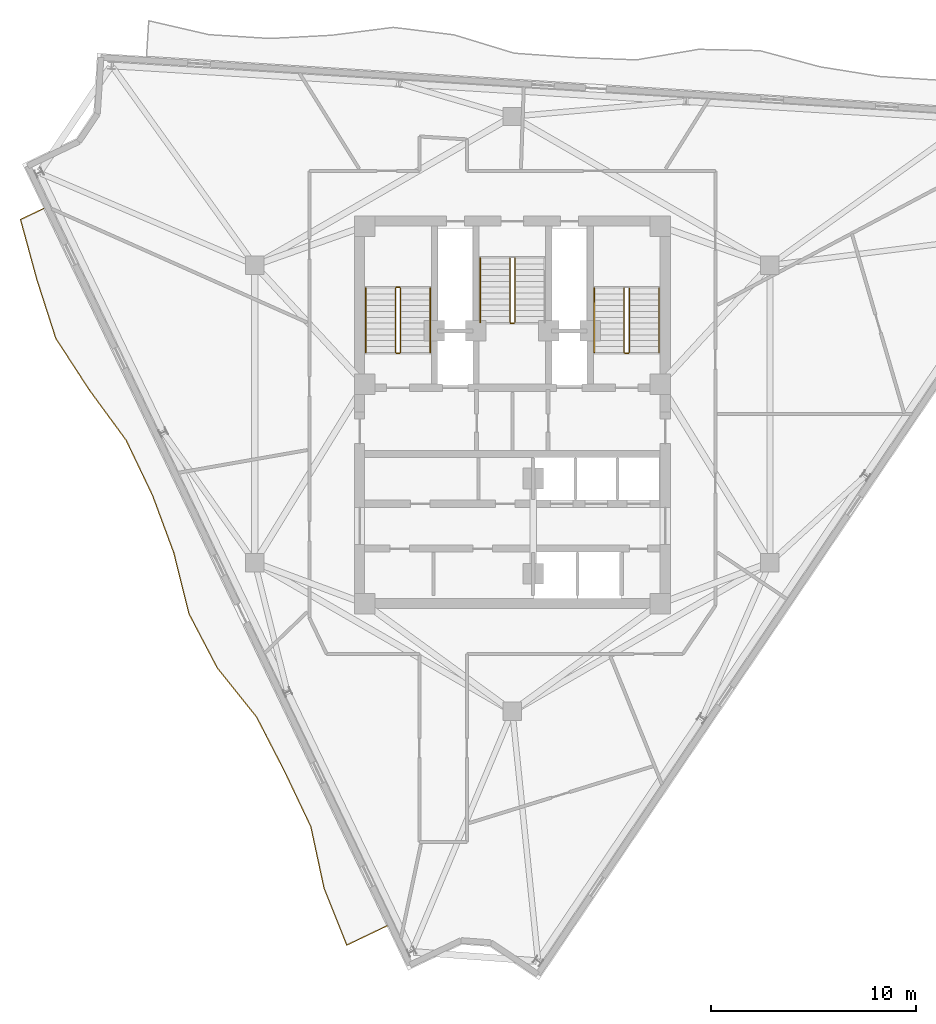
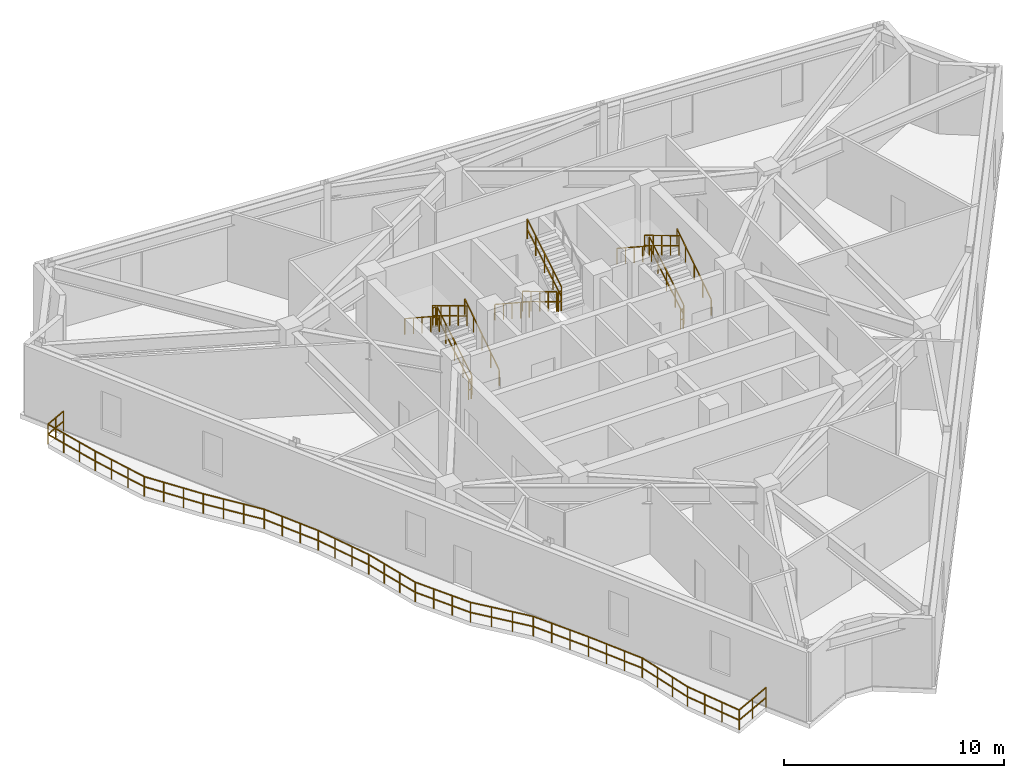
# One storey, part 9 of 10: 16 railings.
"""IFC4 building model written with IfcOpenShell, lengths in metres."""

from ifc_helpers import new_model, si_unit, direction, frame, origin, origin_2d, place, context, subcontext, project, spatial, rectangle, extrude, material, type_object, element, save


model = new_model("IFC4")

# Units and contexts
model_context = context("Model", 3, precision=1e-05, world=origin(), true_north=direction((0.0, 1.0)))
body_context = subcontext(model_context, "Body", "Model", "MODEL_VIEW")
ifc_project = project(units=[si_unit("LENGTHUNIT", "METRE"), si_unit("AREAUNIT", "SQUARE_METRE"), si_unit("VOLUMEUNIT", "CUBIC_METRE"), si_unit("PLANEANGLEUNIT", "RADIAN"), si_unit("MASSUNIT", "GRAM", prefix="KILO")], contexts=[model_context])

# Site, building, storey
site_placement = place(None, origin())
site = spatial("IfcSite", under=ifc_project, at=site_placement, CompositionType="ELEMENT")
building_placement = place(site_placement, origin())
building = spatial("IfcBuilding", under=site, at=building_placement, Name="Apsidion Concourse Tower", CompositionType="ELEMENT")
storey_placement = place(building_placement, frame((0.0, 0.0, 302.39990234375)))
storey = spatial("IfcBuildingStorey", under=building, at=storey_placement, Name="L71", CompositionType="ELEMENT", Elevation=302.39990234375)

# Railings
ifc_material = material(Name="Brushed stainless steel 316", Category="steel")
railing_type_1 = type_object("IfcRailingType", Name="RL-BAL-1120", PredefinedType="BALUSTRADE", material=ifc_material)
railing_1_placement = place(storey_placement, frame((-6.1181640625, -24.96630859375, 0.0)))
element("IfcRailing", 1, at=railing_1_placement, inside=storey, type_object=railing_type_1, Name="L71 Face 1 Rippling Balcony Balustrade", PredefinedType="BALUSTRADE", context=body_context, shape_type="SweptSolid", body=[
    extrude(rectangle(XDim=0.048095703125, YDim=0.048095703125, at=origin_2d()), frame((0.0, 0.0, 1.09619140625), z_axis=(-0.902099942436, -0.43152716468, 0.0), x_axis=(0.43152716468, -0.902099942436, 0.0)), (0.0, 0.0, 1.0), 2.169677734375),
    extrude(rectangle(XDim=0.048095703125, YDim=0.048095703125, at=origin_2d()), frame((0.0, 0.0, 0.5361328125), z_axis=(-0.902099942436, -0.43152716468, 0.0), x_axis=(0.43152716468, -0.902099942436, 0.0)), (0.0, 0.0, 1.0), 2.169677734375),
    extrude(rectangle(XDim=0.048095703125, YDim=0.048095703125, at=origin_2d()), frame((-1.957275390625, -0.936279296875, 1.09619140625), z_axis=(-0.370841483612, 0.928696179616, 0.0), x_axis=(-0.928696179616, -0.370841483612, 0.0)), (0.0, 0.0, 1.0), 2.989501953125),
    extrude(rectangle(XDim=0.048095703125, YDim=0.048095703125, at=origin_2d()), frame((-1.957275390625, -0.936279296875, 0.5361328125), z_axis=(-0.370841483612, 0.928696179616, 0.0), x_axis=(-0.928696179616, -0.370841483612, 0.0)), (0.0, 0.0, 1.0), 2.989501953125),
    extrude(rectangle(XDim=0.048095703125, YDim=0.048095703125, at=origin_2d()), frame((-3.06591796875, 1.840087890625, 1.09619140625), z_axis=(-0.209887827373, 0.977725472677, 0.0), x_axis=(-0.977725472677, -0.209887827373, 0.0)), (0.0, 0.0, 1.0), 3.0673828125),
    extrude(rectangle(XDim=0.048095703125, YDim=0.048095703125, at=origin_2d()), frame((-3.06591796875, 1.840087890625, 0.5361328125), z_axis=(-0.209887827373, 0.977725472677, 0.0), x_axis=(-0.977725472677, -0.209887827373, 0.0)), (0.0, 0.0, 1.0), 3.0673828125),
    extrude(rectangle(XDim=0.048095703125, YDim=0.048095703125, at=origin_2d()), frame((-3.709716796875, 4.839111328125, 1.09619140625), z_axis=(-0.429183685469, 0.903217229755, 0.0), x_axis=(-0.903217229755, -0.429183685469, 0.0)), (0.0, 0.0, 1.0), 2.983154296875),
    extrude(rectangle(XDim=0.048095703125, YDim=0.048095703125, at=origin_2d()), frame((-3.709716796875, 4.839111328125, 0.5361328125), z_axis=(-0.429183685469, 0.903217229755, 0.0), x_axis=(-0.903217229755, -0.429183685469, 0.0)), (0.0, 0.0, 1.0), 2.983154296875),
    extrude(rectangle(XDim=0.048095703125, YDim=0.048095703125, at=origin_2d()), frame((-4.989990234375, 7.533447265625, 1.09619140625), z_axis=(-0.457882141152, 0.889012904751, 0.0), x_axis=(-0.889012904751, -0.457882141152, 0.0)), (0.0, 0.0, 1.0), 2.984375),
    extrude(rectangle(XDim=0.048095703125, YDim=0.048095703125, at=origin_2d()), frame((-4.989990234375, 7.533447265625, 0.5361328125), z_axis=(-0.457882141152, 0.889012904751, 0.0), x_axis=(-0.889012904751, -0.457882141152, 0.0)), (0.0, 0.0, 1.0), 2.984375),
    extrude(rectangle(XDim=0.048095703125, YDim=0.048095703125, at=origin_2d()), frame((-6.3564453125, 10.1865234375, 1.09619140625), z_axis=(-0.625248904654, 0.78042540145, 0.0), x_axis=(-0.78042540145, -0.625248904654, 0.0)), (0.0, 0.0, 1.0), 3.063232421875),
    extrude(rectangle(XDim=0.048095703125, YDim=0.048095703125, at=origin_2d()), frame((-6.3564453125, 10.1865234375, 0.5361328125), z_axis=(-0.625248904654, 0.78042540145, 0.0), x_axis=(-0.78042540145, -0.625248904654, 0.0)), (0.0, 0.0, 1.0), 3.063232421875),
    extrude(rectangle(XDim=0.048095703125, YDim=0.048095703125, at=origin_2d()), frame((-8.271728515625, 12.5771484375, 1.09619140625), z_axis=(-0.463010382776, 0.886352856058, 0.0), x_axis=(-0.886352856058, -0.463010382776, 0.0)), (0.0, 0.0, 1.0), 2.985107421875),
    extrude(rectangle(XDim=0.048095703125, YDim=0.048095703125, at=origin_2d()), frame((-8.271728515625, 12.5771484375, 0.5361328125), z_axis=(-0.463010382776, 0.886352856058, 0.0), x_axis=(-0.886352856058, -0.463010382776, 0.0)), (0.0, 0.0, 1.0), 2.985107421875),
    extrude(rectangle(XDim=0.048095703125, YDim=0.048095703125, at=origin_2d()), frame((-9.65380859375, 15.222900390625, 1.09619140625), z_axis=(-0.240818749269, 0.97057010566, 0.0), x_axis=(-0.97057010566, -0.240818749269, 0.0)), (0.0, 0.0, 1.0), 3.04541015625),
    extrude(rectangle(XDim=0.048095703125, YDim=0.048095703125, at=origin_2d()), frame((-9.65380859375, 15.222900390625, 0.5361328125), z_axis=(-0.240818749269, 0.97057010566, 0.0), x_axis=(-0.97057010566, -0.240818749269, 0.0)), (0.0, 0.0, 1.0), 3.04541015625),
    extrude(rectangle(XDim=0.048095703125, YDim=0.048095703125, at=origin_2d()), frame((-10.38720703125, 18.1787109375, 1.09619140625), z_axis=(-0.347253307019, 0.937771369132, 0.0), x_axis=(-0.937771369132, -0.347253307019, 0.0)), (0.0, 0.0, 1.0), 2.995849609375),
    extrude(rectangle(XDim=0.048095703125, YDim=0.048095703125, at=origin_2d()), frame((-10.38720703125, 18.1787109375, 0.5361328125), z_axis=(-0.347253307019, 0.937771369132, 0.0), x_axis=(-0.937771369132, -0.347253307019, 0.0)), (0.0, 0.0, 1.0), 2.995849609375),
    extrude(rectangle(XDim=0.048095703125, YDim=0.048095703125, at=origin_2d()), frame((-11.427490234375, 20.988037109375, 1.09619140625), z_axis=(-0.431562646754, 0.902082968428, 0.0), x_axis=(-0.902082968428, -0.431562646754, 0.0)), (0.0, 0.0, 1.0), 2.98291015625),
    extrude(rectangle(XDim=0.048095703125, YDim=0.048095703125, at=origin_2d()), frame((-11.427490234375, 20.988037109375, 0.5361328125), z_axis=(-0.431562646754, 0.902082968428, 0.0), x_axis=(-0.902082968428, -0.431562646754, 0.0)), (0.0, 0.0, 1.0), 2.98291015625),
    extrude(rectangle(XDim=0.048095703125, YDim=0.048095703125, at=origin_2d()), frame((-12.71484375, 23.678955078125, 1.09619140625), z_axis=(-0.59078466844, 0.806829272855, 0.0), x_axis=(-0.806829272855, -0.59078466844, 0.0)), (0.0, 0.0, 1.0), 3.035400390625),
    extrude(rectangle(XDim=0.048095703125, YDim=0.048095703125, at=origin_2d()), frame((-12.71484375, 23.678955078125, 0.5361328125), z_axis=(-0.59078466844, 0.806829272855, 0.0), x_axis=(-0.806829272855, -0.59078466844, 0.0)), (0.0, 0.0, 1.0), 3.035400390625),
    extrude(rectangle(XDim=0.048095703125, YDim=0.048095703125, at=origin_2d()), frame((-14.508056640625, 26.1279296875, 1.09619140625), z_axis=(-0.544697365861, 0.838632684567, 0.0), x_axis=(-0.838632684567, -0.544697365861, 0.0)), (0.0, 0.0, 1.0), 3.00830078125),
    extrude(rectangle(XDim=0.048095703125, YDim=0.048095703125, at=origin_2d()), frame((-14.508056640625, 26.1279296875, 0.5361328125), z_axis=(-0.544697365861, 0.838632684567, 0.0), x_axis=(-0.838632684567, -0.544697365861, 0.0)), (0.0, 0.0, 1.0), 3.00830078125),
    extrude(rectangle(XDim=0.048095703125, YDim=0.048095703125, at=origin_2d()), frame((-16.146728515625, 28.65087890625, 1.09619140625), z_axis=(-0.306308432234, 0.951932321304, 0.0), x_axis=(-0.951932321304, -0.306308432234, 0.0)), (0.0, 0.0, 1.0), 3.010498046875),
    extrude(rectangle(XDim=0.048095703125, YDim=0.048095703125, at=origin_2d()), frame((-16.146728515625, 28.65087890625, 0.5361328125), z_axis=(-0.306308432234, 0.951932321304, 0.0), x_axis=(-0.951932321304, -0.306308432234, 0.0)), (0.0, 0.0, 1.0), 3.010498046875),
    extrude(rectangle(XDim=0.048095703125, YDim=0.048095703125, at=origin_2d()), frame((-17.06884765625, 31.5166015625, 1.09619140625), z_axis=(-0.26247015143, 0.964940111928, 0.0), x_axis=(-0.964940111928, -0.26247015143, 0.0)), (0.0, 0.0, 1.0), 3.0322265625),
    extrude(rectangle(XDim=0.048095703125, YDim=0.048095703125, at=origin_2d()), frame((-17.06884765625, 31.5166015625, 0.5361328125), z_axis=(-0.26247015143, 0.964940111928, 0.0), x_axis=(-0.964940111928, -0.26247015143, 0.0)), (0.0, 0.0, 1.0), 3.0322265625),
    extrude(rectangle(XDim=0.048095703125, YDim=0.048095703125, at=origin_2d()), frame((-17.86474609375, 34.442626953125, 1.09619140625), z_axis=(0.902028416464, 0.431676656645, 0.0), x_axis=(-0.431676656645, 0.902028416464, 0.0)), (0.0, 0.0, 1.0), 1.25),
    extrude(rectangle(XDim=0.048095703125, YDim=0.048095703125, at=origin_2d()), frame((-17.86474609375, 34.442626953125, 0.5361328125), z_axis=(0.902028416464, 0.431676656645, 0.0), x_axis=(-0.431676656645, 0.902028416464, 0.0)), (0.0, 0.0, 1.0), 1.25),
    extrude(rectangle(XDim=0.0419921875, YDim=0.0419921875, at=origin_2d()), origin(), (0.0, 0.0, 1.0), 1.072021484375),
    extrude(rectangle(XDim=0.0419921875, YDim=0.0419921875, at=origin_2d()), frame((-0.978515625, -0.46826171875, 0.0)), (0.0, 0.0, 1.0), 1.072021484375),
    extrude(rectangle(XDim=0.0419921875, YDim=0.0419921875, at=origin_2d()), frame((-1.957275390625, -0.936279296875, 0.0)), (0.0, 0.0, 1.0), 1.072021484375),
    extrude(rectangle(XDim=0.0419921875, YDim=0.0419921875, at=origin_2d()), frame((-2.326904296875, -0.0107421875, 0.0)), (0.0, 0.0, 1.0), 1.072021484375),
    extrude(rectangle(XDim=0.0419921875, YDim=0.0419921875, at=origin_2d()), frame((-2.6962890625, 0.91455078125, 0.0)), (0.0, 0.0, 1.0), 1.072021484375),
    extrude(rectangle(XDim=0.0419921875, YDim=0.0419921875, at=origin_2d()), frame((-3.06591796875, 1.840087890625, 0.0)), (0.0, 0.0, 1.0), 1.072021484375),
    extrude(rectangle(XDim=0.0419921875, YDim=0.0419921875, at=origin_2d()), frame((-3.280517578125, 2.83984375, 0.0)), (0.0, 0.0, 1.0), 1.072021484375),
    extrude(rectangle(XDim=0.0419921875, YDim=0.0419921875, at=origin_2d()), frame((-3.4951171875, 3.83935546875, 0.0)), (0.0, 0.0, 1.0), 1.072021484375),
    extrude(rectangle(XDim=0.0419921875, YDim=0.0419921875, at=origin_2d()), frame((-3.709716796875, 4.839111328125, 0.0)), (0.0, 0.0, 1.0), 1.072021484375),
    extrude(rectangle(XDim=0.0419921875, YDim=0.0419921875, at=origin_2d()), frame((-4.136474609375, 5.7373046875, 0.0)), (0.0, 0.0, 1.0), 1.072021484375),
    extrude(rectangle(XDim=0.0419921875, YDim=0.0419921875, at=origin_2d()), frame((-4.563232421875, 6.63525390625, 0.0)), (0.0, 0.0, 1.0), 1.072021484375),
    extrude(rectangle(XDim=0.0419921875, YDim=0.0419921875, at=origin_2d()), frame((-4.989990234375, 7.533447265625, 0.0)), (0.0, 0.0, 1.0), 1.072021484375),
    extrude(rectangle(XDim=0.0419921875, YDim=0.0419921875, at=origin_2d()), frame((-5.445556640625, 8.417724609375, 0.0)), (0.0, 0.0, 1.0), 1.072021484375),
    extrude(rectangle(XDim=0.0419921875, YDim=0.0419921875, at=origin_2d()), frame((-5.90087890625, 9.30224609375, 0.0)), (0.0, 0.0, 1.0), 1.072021484375),
    extrude(rectangle(XDim=0.0419921875, YDim=0.0419921875, at=origin_2d()), frame((-6.3564453125, 10.1865234375, 0.0)), (0.0, 0.0, 1.0), 1.072021484375),
    extrude(rectangle(XDim=0.0419921875, YDim=0.0419921875, at=origin_2d()), frame((-6.994873046875, 10.9833984375, 0.0)), (0.0, 0.0, 1.0), 1.072021484375),
    extrude(rectangle(XDim=0.0419921875, YDim=0.0419921875, at=origin_2d()), frame((-7.63330078125, 11.7802734375, 0.0)), (0.0, 0.0, 1.0), 1.072021484375),
    extrude(rectangle(XDim=0.0419921875, YDim=0.0419921875, at=origin_2d()), frame((-8.271728515625, 12.5771484375, 0.0)), (0.0, 0.0, 1.0), 1.072021484375),
    extrude(rectangle(XDim=0.0419921875, YDim=0.0419921875, at=origin_2d()), frame((-8.732421875, 13.458984375, 0.0)), (0.0, 0.0, 1.0), 1.072021484375),
    extrude(rectangle(XDim=0.0419921875, YDim=0.0419921875, at=origin_2d()), frame((-9.193115234375, 14.341064453125, 0.0)), (0.0, 0.0, 1.0), 1.072021484375),
    extrude(rectangle(XDim=0.0419921875, YDim=0.0419921875, at=origin_2d()), frame((-9.65380859375, 15.222900390625, 0.0)), (0.0, 0.0, 1.0), 1.072021484375),
    extrude(rectangle(XDim=0.0419921875, YDim=0.0419921875, at=origin_2d()), frame((-9.898193359375, 16.208251953125, 0.0)), (0.0, 0.0, 1.0), 1.072021484375),
    extrude(rectangle(XDim=0.0419921875, YDim=0.0419921875, at=origin_2d()), frame((-10.142822265625, 17.193359375, 0.0)), (0.0, 0.0, 1.0), 1.072021484375),
    extrude(rectangle(XDim=0.0419921875, YDim=0.0419921875, at=origin_2d()), frame((-10.38720703125, 18.1787109375, 0.0)), (0.0, 0.0, 1.0), 1.072021484375),
    extrude(rectangle(XDim=0.0419921875, YDim=0.0419921875, at=origin_2d()), frame((-10.73388671875, 19.115234375, 0.0)), (0.0, 0.0, 1.0), 1.072021484375),
    extrude(rectangle(XDim=0.0419921875, YDim=0.0419921875, at=origin_2d()), frame((-11.080810546875, 20.051513671875, 0.0)), (0.0, 0.0, 1.0), 1.072021484375),
    extrude(rectangle(XDim=0.0419921875, YDim=0.0419921875, at=origin_2d()), frame((-11.427490234375, 20.988037109375, 0.0)), (0.0, 0.0, 1.0), 1.072021484375),
    extrude(rectangle(XDim=0.0419921875, YDim=0.0419921875, at=origin_2d()), frame((-11.856689453125, 21.885009765625, 0.0)), (0.0, 0.0, 1.0), 1.072021484375),
    extrude(rectangle(XDim=0.0419921875, YDim=0.0419921875, at=origin_2d()), frame((-12.28564453125, 22.781982421875, 0.0)), (0.0, 0.0, 1.0), 1.072021484375),
    extrude(rectangle(XDim=0.0419921875, YDim=0.0419921875, at=origin_2d()), frame((-12.71484375, 23.678955078125, 0.0)), (0.0, 0.0, 1.0), 1.072021484375),
    extrude(rectangle(XDim=0.0419921875, YDim=0.0419921875, at=origin_2d()), frame((-13.3125, 24.495361328125, 0.0)), (0.0, 0.0, 1.0), 1.072021484375),
    extrude(rectangle(XDim=0.0419921875, YDim=0.0419921875, at=origin_2d()), frame((-13.910400390625, 25.3115234375, 0.0)), (0.0, 0.0, 1.0), 1.072021484375),
    extrude(rectangle(XDim=0.0419921875, YDim=0.0419921875, at=origin_2d()), frame((-14.508056640625, 26.1279296875, 0.0)), (0.0, 0.0, 1.0), 1.072021484375),
    extrude(rectangle(XDim=0.0419921875, YDim=0.0419921875, at=origin_2d()), frame((-15.05419921875, 26.968994140625, 0.0)), (0.0, 0.0, 1.0), 1.072021484375),
    extrude(rectangle(XDim=0.0419921875, YDim=0.0419921875, at=origin_2d()), frame((-15.6005859375, 27.809814453125, 0.0)), (0.0, 0.0, 1.0), 1.072021484375),
    extrude(rectangle(XDim=0.0419921875, YDim=0.0419921875, at=origin_2d()), frame((-16.146728515625, 28.65087890625, 0.0)), (0.0, 0.0, 1.0), 1.072021484375),
    extrude(rectangle(XDim=0.0419921875, YDim=0.0419921875, at=origin_2d()), frame((-16.4541015625, 29.606201171875, 0.0)), (0.0, 0.0, 1.0), 1.072021484375),
    extrude(rectangle(XDim=0.0419921875, YDim=0.0419921875, at=origin_2d()), frame((-16.761474609375, 30.561279296875, 0.0)), (0.0, 0.0, 1.0), 1.072021484375),
    extrude(rectangle(XDim=0.0419921875, YDim=0.0419921875, at=origin_2d()), frame((-17.06884765625, 31.5166015625, 0.0)), (0.0, 0.0, 1.0), 1.072021484375),
    extrude(rectangle(XDim=0.0419921875, YDim=0.0419921875, at=origin_2d()), frame((-17.334228515625, 32.491943359375, 0.0)), (0.0, 0.0, 1.0), 1.072021484375),
    extrude(rectangle(XDim=0.0419921875, YDim=0.0419921875, at=origin_2d()), frame((-17.599365234375, 33.46728515625, 0.0)), (0.0, 0.0, 1.0), 1.072021484375),
    extrude(rectangle(XDim=0.0419921875, YDim=0.0419921875, at=origin_2d()), frame((-17.86474609375, 34.442626953125, 0.0)), (0.0, 0.0, 1.0), 1.072021484375),
    extrude(rectangle(XDim=0.0419921875, YDim=0.0419921875, at=origin_2d()), frame((-17.301025390625, 34.71240234375, 0.0)), (0.0, 0.0, 1.0), 1.072021484375),
    extrude(rectangle(XDim=0.0419921875, YDim=0.0419921875, at=origin_2d()), frame((-16.7373046875, 34.982177734375, 0.0)), (0.0, 0.0, 1.0), 1.072021484375),
])
railing_type_2 = type_object("IfcRailingType", Name="RL-GUARD-1100", PredefinedType="GUARDRAIL", material=ifc_material)
railing_2_placement = place(storey_placement, frame((-5.449951171875, 3.0, 0.1708984375)))
element("IfcRailing", 2, at=railing_2_placement, inside=storey, type_object=railing_type_2, Name="L71 ST1 stair guard 1", PredefinedType="GUARDRAIL", context=body_context, shape_type="SweptSolid", body=[
    extrude(rectangle(XDim=0.048095703125, YDim=0.048095703125, at=origin_2d()), frame((0.0, 0.0, 1.09619140625), z_axis=(0.0, 0.857716804754, 0.514122439544), x_axis=(-1.0, 0.0, 0.0)), (0.0, 0.0, 1.0), 3.655029296875),
    extrude(rectangle(XDim=0.048095703125, YDim=0.048095703125, at=origin_2d()), frame((0.0, 0.0, 0.5361328125), z_axis=(0.0, 0.857716804754, 0.514122439544), x_axis=(-1.0, 0.0, 0.0)), (0.0, 0.0, 1.0), 3.655029296875),
    extrude(rectangle(XDim=0.0419921875, YDim=0.0419921875, at=origin_2d()), origin(), (0.0, 0.0, 1.0), 1.072021484375),
    extrude(rectangle(XDim=0.0419921875, YDim=0.0419921875, at=origin_2d()), frame((0.0, 0.78369140625, 0.4697265625)), (0.0, 0.0, 1.0), 1.072021484375),
    extrude(rectangle(XDim=0.0419921875, YDim=0.0419921875, at=origin_2d()), frame((0.0, 1.5673828125, 0.939453125)), (0.0, 0.0, 1.0), 1.072021484375),
    extrude(rectangle(XDim=0.0419921875, YDim=0.0419921875, at=origin_2d()), frame((0.0, 2.351318359375, 1.409423828125)), (0.0, 0.0, 1.0), 1.072021484375),
    extrude(rectangle(XDim=0.0419921875, YDim=0.0419921875, at=origin_2d()), frame((0.0, 3.135009765625, 1.879150390625)), (0.0, 0.0, 1.0), 1.072021484375),
])
railing_3_placement = place(storey_placement, frame((-5.5, 6.18505859375, 2.050048828125)))
element("IfcRailing", 3, at=railing_3_placement, inside=storey, type_object=railing_type_2, Name="L71 ST1 stair guard 2", PredefinedType="GUARDRAIL", context=body_context, shape_type="SweptSolid", body=[
    extrude(rectangle(XDim=0.048095703125, YDim=0.048095703125, at=origin_2d()), frame((0.0, 0.0, 1.09619140625), z_axis=(-1.0, 0.0, 0.0), x_axis=(0.0, -1.0, 0.0)), (0.0, 0.0, 1.0), 0.14990234375),
    extrude(rectangle(XDim=0.048095703125, YDim=0.048095703125, at=origin_2d()), frame((0.0, 0.0, 0.5361328125), z_axis=(-1.0, 0.0, 0.0), x_axis=(0.0, -1.0, 0.0)), (0.0, 0.0, 1.0), 0.14990234375),
    extrude(rectangle(XDim=0.0419921875, YDim=0.0419921875, at=origin_2d()), origin(), (0.0, 0.0, 1.0), 1.072021484375),
    extrude(rectangle(XDim=0.0419921875, YDim=0.0419921875, at=origin_2d()), frame((-0.14990234375, 0.0, 0.0)), (0.0, 0.0, 1.0), 1.072021484375),
])
railing_4_placement = place(storey_placement, frame((-5.699951171875, 6.135009765625, 2.220947265625)))
element("IfcRailing", 4, at=railing_4_placement, inside=storey, type_object=railing_type_2, Name="L71 ST1 stair guard 3", PredefinedType="GUARDRAIL", context=body_context, shape_type="SweptSolid", body=[
    extrude(rectangle(XDim=0.048095703125, YDim=0.048095703125, at=origin_2d()), frame((0.0, 0.0, 1.09619140625), z_axis=(0.0, -0.857716804754, 0.514122439544), x_axis=(1.0, 0.0, 0.0)), (0.0, 0.0, 1.0), 3.655029296875),
    extrude(rectangle(XDim=0.048095703125, YDim=0.048095703125, at=origin_2d()), frame((0.0, 0.0, 0.5361328125), z_axis=(0.0, -0.857716804754, 0.514122439544), x_axis=(1.0, 0.0, 0.0)), (0.0, 0.0, 1.0), 3.655029296875),
    extrude(rectangle(XDim=0.0419921875, YDim=0.0419921875, at=origin_2d()), origin(), (0.0, 0.0, 1.0), 1.072021484375),
    extrude(rectangle(XDim=0.0419921875, YDim=0.0419921875, at=origin_2d()), frame((0.0, -0.78369140625, 0.4697265625)), (0.0, 0.0, 1.0), 1.072021484375),
    extrude(rectangle(XDim=0.0419921875, YDim=0.0419921875, at=origin_2d()), frame((0.0, -1.5673828125, 0.939453125)), (0.0, 0.0, 1.0), 1.072021484375),
    extrude(rectangle(XDim=0.0419921875, YDim=0.0419921875, at=origin_2d()), frame((0.0, -2.351318359375, 1.409423828125)), (0.0, 0.0, 1.0), 1.072021484375),
    extrude(rectangle(XDim=0.0419921875, YDim=0.0419921875, at=origin_2d()), frame((0.0, -3.135009765625, 1.879150390625)), (0.0, 0.0, 1.0), 1.072021484375),
])
railing_5_placement = place(storey_placement, frame((-5.5, 2.949951171875, 0.0)))
element("IfcRailing", 5, at=railing_5_placement, inside=storey, type_object=railing_type_2, Name="L71 ST1 stair guard 4", PredefinedType="GUARDRAIL", context=body_context, shape_type="SweptSolid", body=[
    extrude(rectangle(XDim=0.048095703125, YDim=0.048095703125, at=origin_2d()), frame((0.0, 0.0, 1.09619140625), z_axis=(-1.0, 0.0, 0.0), x_axis=(0.0, -1.0, 0.0)), (0.0, 0.0, 1.0), 0.14990234375),
    extrude(rectangle(XDim=0.048095703125, YDim=0.048095703125, at=origin_2d()), frame((0.0, 0.0, 0.5361328125), z_axis=(-1.0, 0.0, 0.0), x_axis=(0.0, -1.0, 0.0)), (0.0, 0.0, 1.0), 0.14990234375),
    extrude(rectangle(XDim=0.0419921875, YDim=0.0419921875, at=origin_2d()), origin(), (0.0, 0.0, 1.0), 1.072021484375),
    extrude(rectangle(XDim=0.0419921875, YDim=0.0419921875, at=origin_2d()), frame((-0.14990234375, 0.0, 0.0)), (0.0, 0.0, 1.0), 1.072021484375),
])
railing_6_placement = place(storey_placement, frame((5.699951171875, 3.0, 0.1708984375)))
element("IfcRailing", 6, at=railing_6_placement, inside=storey, type_object=railing_type_2, Name="L71 ST2 stair guard 1", PredefinedType="GUARDRAIL", context=body_context, shape_type="SweptSolid", body=[
    extrude(rectangle(XDim=0.048095703125, YDim=0.048095703125, at=origin_2d()), frame((0.0, 0.0, 1.09619140625), z_axis=(0.0, 0.857716804754, 0.514122439544), x_axis=(-1.0, 0.0, 0.0)), (0.0, 0.0, 1.0), 3.655029296875),
    extrude(rectangle(XDim=0.048095703125, YDim=0.048095703125, at=origin_2d()), frame((0.0, 0.0, 0.5361328125), z_axis=(0.0, 0.857716804754, 0.514122439544), x_axis=(-1.0, 0.0, 0.0)), (0.0, 0.0, 1.0), 3.655029296875),
    extrude(rectangle(XDim=0.0419921875, YDim=0.0419921875, at=origin_2d()), origin(), (0.0, 0.0, 1.0), 1.072021484375),
    extrude(rectangle(XDim=0.0419921875, YDim=0.0419921875, at=origin_2d()), frame((0.0, 0.78369140625, 0.4697265625)), (0.0, 0.0, 1.0), 1.072021484375),
    extrude(rectangle(XDim=0.0419921875, YDim=0.0419921875, at=origin_2d()), frame((0.0, 1.5673828125, 0.939453125)), (0.0, 0.0, 1.0), 1.072021484375),
    extrude(rectangle(XDim=0.0419921875, YDim=0.0419921875, at=origin_2d()), frame((0.0, 2.351318359375, 1.409423828125)), (0.0, 0.0, 1.0), 1.072021484375),
    extrude(rectangle(XDim=0.0419921875, YDim=0.0419921875, at=origin_2d()), frame((0.0, 3.135009765625, 1.879150390625)), (0.0, 0.0, 1.0), 1.072021484375),
])
railing_7_placement = place(storey_placement, frame((5.449951171875, 6.135009765625, 2.220947265625)))
element("IfcRailing", 7, at=railing_7_placement, inside=storey, type_object=railing_type_2, Name="L71 ST2 stair guard 3", PredefinedType="GUARDRAIL", context=body_context, shape_type="SweptSolid", body=[
    extrude(rectangle(XDim=0.048095703125, YDim=0.048095703125, at=origin_2d()), frame((0.0, 0.0, 1.09619140625), z_axis=(0.0, -0.857716804754, 0.514122439544), x_axis=(1.0, 0.0, 0.0)), (0.0, 0.0, 1.0), 3.655029296875),
    extrude(rectangle(XDim=0.048095703125, YDim=0.048095703125, at=origin_2d()), frame((0.0, 0.0, 0.5361328125), z_axis=(0.0, -0.857716804754, 0.514122439544), x_axis=(1.0, 0.0, 0.0)), (0.0, 0.0, 1.0), 3.655029296875),
    extrude(rectangle(XDim=0.0419921875, YDim=0.0419921875, at=origin_2d()), origin(), (0.0, 0.0, 1.0), 1.072021484375),
    extrude(rectangle(XDim=0.0419921875, YDim=0.0419921875, at=origin_2d()), frame((0.0, -0.78369140625, 0.4697265625)), (0.0, 0.0, 1.0), 1.072021484375),
    extrude(rectangle(XDim=0.0419921875, YDim=0.0419921875, at=origin_2d()), frame((0.0, -1.5673828125, 0.939453125)), (0.0, 0.0, 1.0), 1.072021484375),
    extrude(rectangle(XDim=0.0419921875, YDim=0.0419921875, at=origin_2d()), frame((0.0, -2.351318359375, 1.409423828125)), (0.0, 0.0, 1.0), 1.072021484375),
    extrude(rectangle(XDim=0.0419921875, YDim=0.0419921875, at=origin_2d()), frame((0.0, -3.135009765625, 1.879150390625)), (0.0, 0.0, 1.0), 1.072021484375),
])
railing_8_placement = place(storey_placement, frame((5.64990234375, 2.949951171875, 0.0)))
element("IfcRailing", 8, at=railing_8_placement, inside=storey, type_object=railing_type_2, Name="L71 ST2 stair guard 4", PredefinedType="GUARDRAIL", context=body_context, shape_type="SweptSolid", body=[
    extrude(rectangle(XDim=0.048095703125, YDim=0.048095703125, at=origin_2d()), frame((0.0, 0.0, 1.09619140625), z_axis=(-1.0, 0.0, 0.0), x_axis=(0.0, -1.0, 0.0)), (0.0, 0.0, 1.0), 0.14990234375),
    extrude(rectangle(XDim=0.048095703125, YDim=0.048095703125, at=origin_2d()), frame((0.0, 0.0, 0.5361328125), z_axis=(-1.0, 0.0, 0.0), x_axis=(0.0, -1.0, 0.0)), (0.0, 0.0, 1.0), 0.14990234375),
    extrude(rectangle(XDim=0.0419921875, YDim=0.0419921875, at=origin_2d()), origin(), (0.0, 0.0, 1.0), 1.072021484375),
    extrude(rectangle(XDim=0.0419921875, YDim=0.0419921875, at=origin_2d()), frame((-0.14990234375, 0.0, 0.0)), (0.0, 0.0, 1.0), 1.072021484375),
])
railing_9_placement = place(storey_placement, frame((-0.125, 7.60009765625, 0.1708984375)))
element("IfcRailing", 9, at=railing_9_placement, inside=storey, type_object=railing_type_2, Name="L71 ST3 stair guard 1", PredefinedType="GUARDRAIL", context=body_context, shape_type="SweptSolid", body=[
    extrude(rectangle(XDim=0.048095703125, YDim=0.048095703125, at=origin_2d()), frame((0.0, 0.0, 1.09619140625), z_axis=(0.0, -0.857716804754, 0.514122439544), x_axis=(1.0, 0.0, 0.0)), (0.0, 0.0, 1.0), 3.655029296875),
    extrude(rectangle(XDim=0.048095703125, YDim=0.048095703125, at=origin_2d()), frame((0.0, 0.0, 0.5361328125), z_axis=(0.0, -0.857716804754, 0.514122439544), x_axis=(1.0, 0.0, 0.0)), (0.0, 0.0, 1.0), 3.655029296875),
    extrude(rectangle(XDim=0.0419921875, YDim=0.0419921875, at=origin_2d()), origin(), (0.0, 0.0, 1.0), 1.072021484375),
    extrude(rectangle(XDim=0.0419921875, YDim=0.0419921875, at=origin_2d()), frame((0.0, -0.78369140625, 0.4697265625)), (0.0, 0.0, 1.0), 1.072021484375),
    extrude(rectangle(XDim=0.0419921875, YDim=0.0419921875, at=origin_2d()), frame((0.0, -1.5673828125, 0.939453125)), (0.0, 0.0, 1.0), 1.072021484375),
    extrude(rectangle(XDim=0.0419921875, YDim=0.0419921875, at=origin_2d()), frame((0.0, -2.351318359375, 1.409423828125)), (0.0, 0.0, 1.0), 1.072021484375),
    extrude(rectangle(XDim=0.0419921875, YDim=0.0419921875, at=origin_2d()), frame((0.0, -3.135009765625, 1.879150390625)), (0.0, 0.0, 1.0), 1.072021484375),
])
railing_10_placement = place(storey_placement, frame((-0.074951171875, 4.4150390625, 2.050048828125)))
element("IfcRailing", 10, at=railing_10_placement, inside=storey, type_object=railing_type_2, Name="L71 ST3 stair guard 2", PredefinedType="GUARDRAIL", context=body_context, shape_type="SweptSolid", body=[
    extrude(rectangle(XDim=0.048095703125, YDim=0.048095703125, at=origin_2d()), frame((0.0, 0.0, 1.09619140625), z_axis=(1.0, 0.0, 0.0), x_axis=(0.0, 1.0, 0.0)), (0.0, 0.0, 1.0), 0.14990234375),
    extrude(rectangle(XDim=0.048095703125, YDim=0.048095703125, at=origin_2d()), frame((0.0, 0.0, 0.5361328125), z_axis=(1.0, 0.0, 0.0), x_axis=(0.0, 1.0, 0.0)), (0.0, 0.0, 1.0), 0.14990234375),
    extrude(rectangle(XDim=0.0419921875, YDim=0.0419921875, at=origin_2d()), origin(), (0.0, 0.0, 1.0), 1.072021484375),
    extrude(rectangle(XDim=0.0419921875, YDim=0.0419921875, at=origin_2d()), frame((0.14990234375, 0.0, 0.0)), (0.0, 0.0, 1.0), 1.072021484375),
])
railing_11_placement = place(storey_placement, frame((0.125, 4.465087890625, 2.220947265625)))
element("IfcRailing", 11, at=railing_11_placement, inside=storey, type_object=railing_type_2, Name="L71 ST3 stair guard 3", PredefinedType="GUARDRAIL", context=body_context, shape_type="SweptSolid", body=[
    extrude(rectangle(XDim=0.048095703125, YDim=0.048095703125, at=origin_2d()), frame((0.0, 0.0, 1.09619140625), z_axis=(0.0, 0.857716804754, 0.514122439544), x_axis=(-1.0, 0.0, 0.0)), (0.0, 0.0, 1.0), 3.655029296875),
    extrude(rectangle(XDim=0.048095703125, YDim=0.048095703125, at=origin_2d()), frame((0.0, 0.0, 0.5361328125), z_axis=(0.0, 0.857716804754, 0.514122439544), x_axis=(-1.0, 0.0, 0.0)), (0.0, 0.0, 1.0), 3.655029296875),
    extrude(rectangle(XDim=0.0419921875, YDim=0.0419921875, at=origin_2d()), origin(), (0.0, 0.0, 1.0), 1.072021484375),
    extrude(rectangle(XDim=0.0419921875, YDim=0.0419921875, at=origin_2d()), frame((0.0, 0.78369140625, 0.4697265625)), (0.0, 0.0, 1.0), 1.072021484375),
    extrude(rectangle(XDim=0.0419921875, YDim=0.0419921875, at=origin_2d()), frame((0.0, 1.5673828125, 0.939453125)), (0.0, 0.0, 1.0), 1.072021484375),
    extrude(rectangle(XDim=0.0419921875, YDim=0.0419921875, at=origin_2d()), frame((0.0, 2.351318359375, 1.409423828125)), (0.0, 0.0, 1.0), 1.072021484375),
    extrude(rectangle(XDim=0.0419921875, YDim=0.0419921875, at=origin_2d()), frame((0.0, 3.135009765625, 1.879150390625)), (0.0, 0.0, 1.0), 1.072021484375),
])
railing_type_3 = type_object("IfcRailingType", Name="RL-HAND-900", PredefinedType="HANDRAIL", material=ifc_material)
railing_12_placement = place(storey_placement, frame((-4.0, 3.0, 0.1708984375)))
element("IfcRailing", 12, at=railing_12_placement, inside=storey, type_object=railing_type_3, Name="L71 ST1 stair handrail 1", PredefinedType="HANDRAIL", context=body_context, shape_type="SweptSolid", body=[
    extrude(rectangle(XDim=0.048095703125, YDim=0.048095703125, at=origin_2d()), frame((0.0, 0.0, 0.8759765625), z_axis=(0.0, 0.836940907821, 0.547293263996), x_axis=(-1.0, 0.0, 0.0)), (0.0, 0.0, 1.0), 3.745849609375),
    extrude(rectangle(XDim=0.0419921875, YDim=0.0419921875, at=origin_2d()), origin(), (0.0, 0.0, 1.0), 0.851806640625),
    extrude(rectangle(XDim=0.0419921875, YDim=0.0419921875, at=origin_2d()), frame((0.0, 0.78369140625, 0.512451171875)), (0.0, 0.0, 1.0), 0.851806640625),
    extrude(rectangle(XDim=0.0419921875, YDim=0.0419921875, at=origin_2d()), frame((0.0, 1.5673828125, 1.02490234375)), (0.0, 0.0, 1.0), 0.851806640625),
    extrude(rectangle(XDim=0.0419921875, YDim=0.0419921875, at=origin_2d()), frame((0.0, 2.351318359375, 1.53759765625)), (0.0, 0.0, 1.0), 0.851806640625),
    extrude(rectangle(XDim=0.0419921875, YDim=0.0419921875, at=origin_2d()), frame((0.0, 3.135009765625, 2.050048828125)), (0.0, 0.0, 1.0), 0.851806640625),
])
railing_13_placement = place(storey_placement, frame((-7.14990234375, 6.135009765625, 2.220947265625)))
element("IfcRailing", 13, at=railing_13_placement, inside=storey, type_object=railing_type_3, Name="L71 ST1 stair handrail 2", PredefinedType="HANDRAIL", context=body_context, shape_type="SweptSolid", body=[
    extrude(rectangle(XDim=0.048095703125, YDim=0.048095703125, at=origin_2d()), frame((0.0, 0.0, 0.8759765625), z_axis=(0.0, -0.836940907821, 0.547293263996), x_axis=(1.0, 0.0, 0.0)), (0.0, 0.0, 1.0), 3.745849609375),
    extrude(rectangle(XDim=0.0419921875, YDim=0.0419921875, at=origin_2d()), origin(), (0.0, 0.0, 1.0), 0.851806640625),
    extrude(rectangle(XDim=0.0419921875, YDim=0.0419921875, at=origin_2d()), frame((0.0, -0.78369140625, 0.512451171875)), (0.0, 0.0, 1.0), 0.851806640625),
    extrude(rectangle(XDim=0.0419921875, YDim=0.0419921875, at=origin_2d()), frame((0.0, -1.5673828125, 1.02490234375)), (0.0, 0.0, 1.0), 0.851806640625),
    extrude(rectangle(XDim=0.0419921875, YDim=0.0419921875, at=origin_2d()), frame((0.0, -2.351318359375, 1.53759765625)), (0.0, 0.0, 1.0), 0.851806640625),
    extrude(rectangle(XDim=0.0419921875, YDim=0.0419921875, at=origin_2d()), frame((0.0, -3.135009765625, 2.050048828125)), (0.0, 0.0, 1.0), 0.851806640625),
])
railing_14_placement = place(storey_placement, frame((7.14990234375, 3.0, 0.1708984375)))
element("IfcRailing", 14, at=railing_14_placement, inside=storey, type_object=railing_type_3, Name="L71 ST2 stair handrail 1", PredefinedType="HANDRAIL", context=body_context, shape_type="SweptSolid", body=[
    extrude(rectangle(XDim=0.048095703125, YDim=0.048095703125, at=origin_2d()), frame((0.0, 0.0, 0.8759765625), z_axis=(0.0, 0.836940907821, 0.547293263996), x_axis=(-1.0, 0.0, 0.0)), (0.0, 0.0, 1.0), 3.745849609375),
    extrude(rectangle(XDim=0.0419921875, YDim=0.0419921875, at=origin_2d()), origin(), (0.0, 0.0, 1.0), 0.851806640625),
    extrude(rectangle(XDim=0.0419921875, YDim=0.0419921875, at=origin_2d()), frame((0.0, 0.78369140625, 0.512451171875)), (0.0, 0.0, 1.0), 0.851806640625),
    extrude(rectangle(XDim=0.0419921875, YDim=0.0419921875, at=origin_2d()), frame((0.0, 1.5673828125, 1.02490234375)), (0.0, 0.0, 1.0), 0.851806640625),
    extrude(rectangle(XDim=0.0419921875, YDim=0.0419921875, at=origin_2d()), frame((0.0, 2.351318359375, 1.53759765625)), (0.0, 0.0, 1.0), 0.851806640625),
    extrude(rectangle(XDim=0.0419921875, YDim=0.0419921875, at=origin_2d()), frame((0.0, 3.135009765625, 2.050048828125)), (0.0, 0.0, 1.0), 0.851806640625),
])
for number, where, name in (
    (15, (4.0, 6.135009765625, 2.220947265625), "L71 ST2 stair handrail 2"),
    (16, (-1.574951171875, 7.60009765625, 0.1708984375), "L71 ST3 stair handrail 1"),
):
    element("IfcRailing", number, at=place(storey_placement, frame(where)), inside=storey, type_object=railing_type_3, Name=name, PredefinedType="HANDRAIL", context=body_context, shape_type="SweptSolid", body=[
        extrude(rectangle(XDim=0.048095703125, YDim=0.048095703125, at=origin_2d()), frame((0.0, 0.0, 0.8759765625), z_axis=(0.0, -0.836940907821, 0.547293263996), x_axis=(1.0, 0.0, 0.0)), (0.0, 0.0, 1.0), 3.745849609375),
        extrude(rectangle(XDim=0.0419921875, YDim=0.0419921875, at=origin_2d()), origin(), (0.0, 0.0, 1.0), 0.851806640625),
        extrude(rectangle(XDim=0.0419921875, YDim=0.0419921875, at=origin_2d()), frame((0.0, -0.78369140625, 0.512451171875)), (0.0, 0.0, 1.0), 0.851806640625),
        extrude(rectangle(XDim=0.0419921875, YDim=0.0419921875, at=origin_2d()), frame((0.0, -1.5673828125, 1.02490234375)), (0.0, 0.0, 1.0), 0.851806640625),
        extrude(rectangle(XDim=0.0419921875, YDim=0.0419921875, at=origin_2d()), frame((0.0, -2.351318359375, 1.53759765625)), (0.0, 0.0, 1.0), 0.851806640625),
        extrude(rectangle(XDim=0.0419921875, YDim=0.0419921875, at=origin_2d()), frame((0.0, -3.135009765625, 2.050048828125)), (0.0, 0.0, 1.0), 0.851806640625),
    ])

save(model, "model.ifc")
